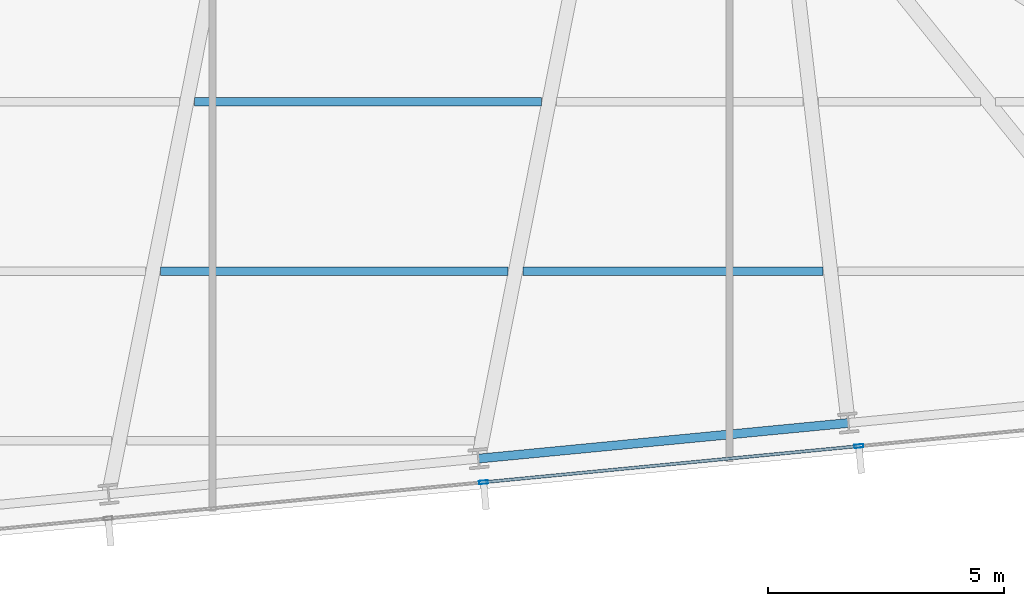
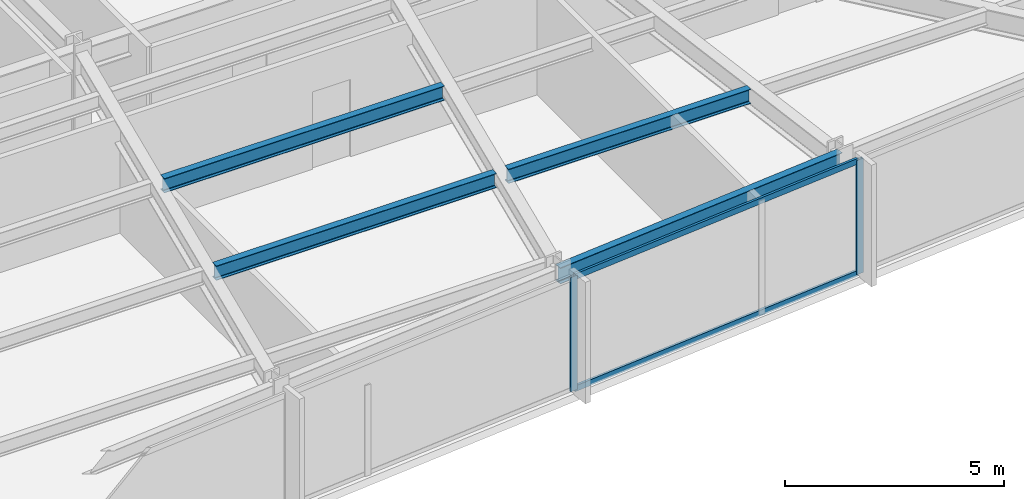
# One storey, part 10 of 32: 4 beams, 4 members, 1 element without a shape of its own.
"""IFC4 building model written with IfcOpenShell, lengths in metres."""

from ifc_helpers import new_model, si_unit, direction, frame, origin, origin_2d, place, context, subcontext, project, spatial, hollow_rectangle, i_section, extrude, material, material_profile, profile_set, type_object, element, aggregate, save


model = new_model("IFC4")

# Units and contexts
model_context = context("Model", 3, precision=1e-05, world=origin(), true_north=direction((0.0, 1.0)))
body_context = subcontext(model_context, "Body", "Model", "MODEL_VIEW")
ifc_project = project(units=[si_unit("LENGTHUNIT", "METRE"), si_unit("AREAUNIT", "SQUARE_METRE"), si_unit("VOLUMEUNIT", "CUBIC_METRE"), si_unit("PLANEANGLEUNIT", "RADIAN"), si_unit("MASSUNIT", "GRAM", prefix="KILO")], contexts=[model_context])

# Site, building, storey
site_placement = place(None, origin())
site = spatial("IfcSite", under=ifc_project, at=site_placement, CompositionType="ELEMENT")
building_placement = place(site_placement, origin())
building = spatial("IfcBuilding", under=site, at=building_placement, Name="Yelkora Congress Tower", CompositionType="ELEMENT")
storey_placement = place(building_placement, frame((0.0, 0.0, 103.300048828125)))
storey = spatial("IfcBuildingStorey", under=building, at=storey_placement, Name="L27", CompositionType="ELEMENT", Elevation=103.300048828125)

# Beams
ifc_material_1 = material(Name="Steel S355J2", Category="steel")
ifc_material_profile_1 = material_profile(ifc_material_1, i_section(OverallWidth=0.179931640625, OverallDepth=0.39990234375, WebThickness=0.008544921875, FlangeThickness=0.013427734375, FilletRadius=0.02099609375, at=origin_2d()), Name="IPE 400")
ifc_profile_set_1 = profile_set([ifc_material_profile_1], Name="Steel S355J2")
beam_type_1 = type_object("IfcBeamType", Name="BM-JOIST-IPE400", PredefinedType="JOIST", material=ifc_profile_set_1)
beam_1_placement = place(storey_placement, frame((44.436767578125, 16.144287109375, 2.97998046875), z_axis=(1.0, 0.0, 0.0), x_axis=(0.0, 1.0, 0.0)))
element("IfcBeam", 1, at=beam_1_placement, inside=storey, type_object=beam_type_1, Name="L27 Composite Floor Joist 7", PredefinedType="JOIST", context=body_context, shape_type="SweptSolid", body=[
    extrude(i_section(OverallWidth=0.179931640625, OverallDepth=0.39990234375, WebThickness=0.008544921875, FlangeThickness=0.013427734375, FilletRadius=0.02099609375, at=origin_2d()), origin(), (0.0, 0.0, 1.0), 7.373046875),
])
beam_2_placement = place(storey_placement, frame((52.1298828125, 16.144287109375, 2.97998046875), z_axis=(1.0, 0.0, 0.0), x_axis=(0.0, 1.0, 0.0)))
element("IfcBeam", 2, at=beam_2_placement, inside=storey, type_object=beam_type_1, Name="L27 Composite Floor Joist 8", PredefinedType="JOIST", context=body_context, shape_type="SweptSolid", body=[
    extrude(i_section(OverallWidth=0.179931640625, OverallDepth=0.39990234375, WebThickness=0.008544921875, FlangeThickness=0.013427734375, FilletRadius=0.02099609375, at=origin_2d()), origin(), (0.0, 0.0, 1.0), 6.3671875),
])
beam_3_placement = place(storey_placement, frame((45.153564453125, 19.744384765625, 2.97998046875), z_axis=(1.0, 0.0, 0.0), x_axis=(0.0, 1.0, 0.0)))
element("IfcBeam", 3, at=beam_3_placement, inside=storey, type_object=beam_type_1, Name="L27 Composite Floor Joist 14", PredefinedType="JOIST", context=body_context, shape_type="SweptSolid", body=[
    extrude(i_section(OverallWidth=0.179931640625, OverallDepth=0.39990234375, WebThickness=0.008544921875, FlangeThickness=0.013427734375, FilletRadius=0.02099609375, at=origin_2d()), origin(), (0.0, 0.0, 1.0), 7.367919921875),
])
ifc_material_profile_2 = material_profile(ifc_material_1, i_section(OverallWidth=0.18994140625, OverallDepth=0.449951171875, WebThickness=0.009521484375, FlangeThickness=0.0146484375, FilletRadius=0.02099609375, at=origin_2d()), Name="IPE 450")
ifc_profile_set_2 = profile_set([ifc_material_profile_2], Name="Steel S355J2")
beam_type_2 = type_object("IfcBeamType", Name="BM-SPAN-IPE450", PredefinedType="SPANDREL", material=ifc_profile_set_2)
beam_4_placement = place(storey_placement, frame((51.18359375, 12.16748046875, 2.954833984375), z_axis=(0.995395860104, 0.095849265454, 0.0), x_axis=(-0.095849265454, 0.995395860104, 0.0)))
element("IfcBeam", 4, at=beam_4_placement, inside=storey, type_object=beam_type_2, Name="L27 Perimeter Beam 7", PredefinedType="SPANDREL", context=body_context, shape_type="SweptSolid", body=[
    extrude(i_section(OverallWidth=0.18994140625, OverallDepth=0.449951171875, WebThickness=0.009521484375, FlangeThickness=0.0146484375, FilletRadius=0.02099609375, at=origin_2d()), origin(), (0.0, 0.0, 1.0), 7.885986328125),
])

# Curtain wall, members
ifc_material_2 = material(Name="Anodised aluminium and insulated glass", Category="aluminium")
curtain_wall_type = type_object("IfcCurtainWallType", Name="CW-SYS-B2", PredefinedType="NOTDEFINED", material=ifc_material_2)
curtain_wall_placement = place(storey_placement, origin())
curtain_wall = element("IfcCurtainWall", 5, at=curtain_wall_placement, inside=storey, type_object=curtain_wall_type, Name="L27 Unitised Curtain Wall 20", PredefinedType="NOTDEFINED")
ifc_material_3 = material(Name="Anodised aluminium 6063-T6", Category="aluminium")
ifc_material_profile_3 = material_profile(ifc_material_3, hollow_rectangle(XDim=0.070068359375, YDim=0.18994140625, WallThickness=0.00390625, at=origin_2d()), Name="ALU 70x190x4")
ifc_profile_set_3 = profile_set([ifc_material_profile_3], Name="Anodised aluminium 6063-T6")
member_type_1 = type_object("IfcMemberType", Name="MEM-ML-B2", PredefinedType="MULLION", material=ifc_profile_set_3)
member_1_placement = place(storey_placement, frame((59.2568359375, 12.4326171875, 0.0), z_axis=(0.0, 0.0, 1.0), x_axis=(0.095844345816, -0.995396333816, 0.0)))
member_1 = element("IfcMember", 6, at=member_1_placement, type_object=member_type_1, Name="CW-B2 mullion 3", PredefinedType="MULLION", context=body_context, shape_type="SweptSolid", body=[
    extrude(hollow_rectangle(XDim=0.070068359375, YDim=0.18994140625, WallThickness=0.00390625, at=origin_2d()), origin(), (0.0, 0.0, 1.0), 3.179931640625),
])
member_2_placement = place(storey_placement, frame((51.290771484375, 11.66552734375, 0.0), z_axis=(0.0, 0.0, 1.0), x_axis=(0.095844345816, -0.995396333816, 0.0)))
member_2 = element("IfcMember", 7, at=member_2_placement, type_object=member_type_1, Name="CW-B2 mullion 4", PredefinedType="MULLION", context=body_context, shape_type="SweptSolid", body=[
    extrude(hollow_rectangle(XDim=0.070068359375, YDim=0.18994140625, WallThickness=0.00390625, at=origin_2d()), origin(), (0.0, 0.0, 1.0), 3.179931640625),
])
ifc_material_profile_4 = material_profile(ifc_material_3, hollow_rectangle(XDim=0.06494140625, YDim=0.159912109375, WallThickness=0.00390625, at=origin_2d()), Name="ALU 65x160x4")
ifc_profile_set_4 = profile_set([ifc_material_profile_4], Name="Anodised aluminium 6063-T6")
member_type_2 = type_object("IfcMemberType", Name="MEM-TR-B2", PredefinedType="USERDEFINED", material=ifc_profile_set_4)
member_3_placement = place(storey_placement, frame((59.221923828125, 12.42919921875, 0.032470703125), z_axis=(-0.995397010735, -0.095837315383, 0.0), x_axis=(0.095837315383, -0.995397010735, 0.0)))
member_3 = element("IfcMember", 8, at=member_3_placement, type_object=member_type_2, Name="CW-B2 transom 3.1", ObjectType="TRANSOM", PredefinedType="USERDEFINED", context=body_context, shape_type="SweptSolid", body=[
    extrude(hollow_rectangle(XDim=0.06494140625, YDim=0.159912109375, WallThickness=0.00390625, at=origin_2d()), origin(), (0.0, 0.0, 1.0), 7.932861328125),
])
member_4_placement = place(storey_placement, frame((59.221923828125, 12.42919921875, 3.1474609375), z_axis=(-0.995397010735, -0.095837315383, 0.0), x_axis=(0.095837315383, -0.995397010735, 0.0)))
member_4 = element("IfcMember", 9, at=member_4_placement, type_object=member_type_2, Name="CW-B2 transom 3.2", ObjectType="TRANSOM", PredefinedType="USERDEFINED", context=body_context, shape_type="SweptSolid", body=[
    extrude(hollow_rectangle(XDim=0.06494140625, YDim=0.159912109375, WallThickness=0.00390625, at=origin_2d()), origin(), (0.0, 0.0, 1.0), 7.932861328125),
])
aggregate(curtain_wall, [member_1, member_2, member_3, member_4])

save(model, "model.ifc")
